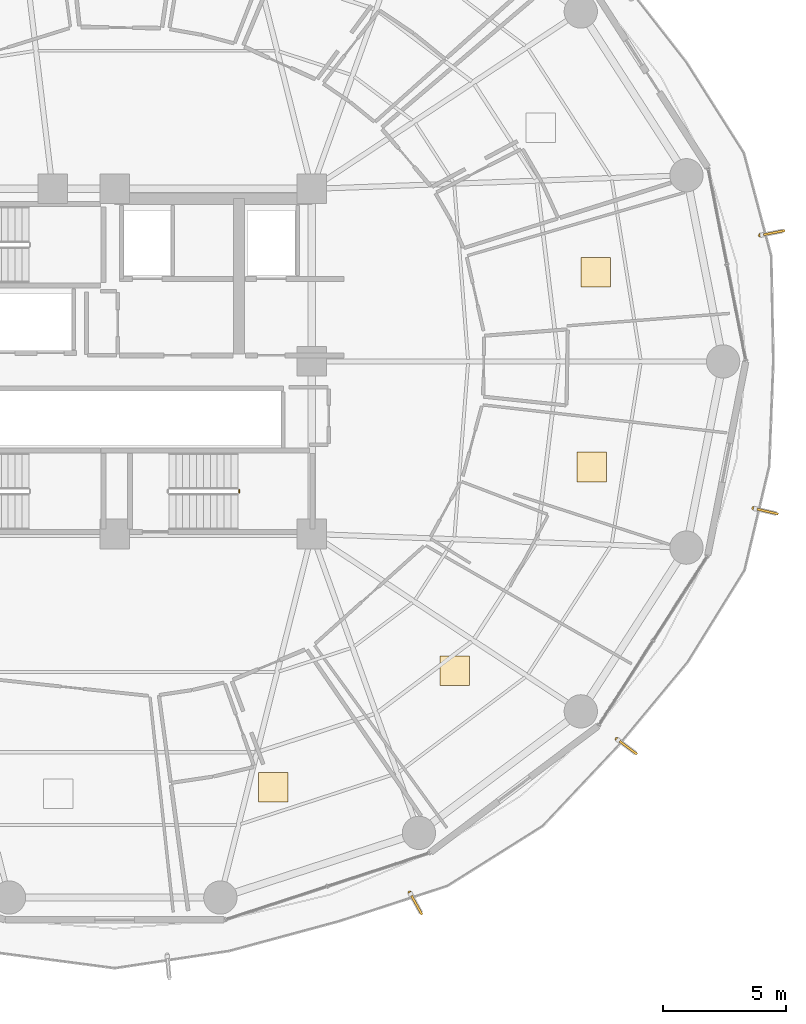
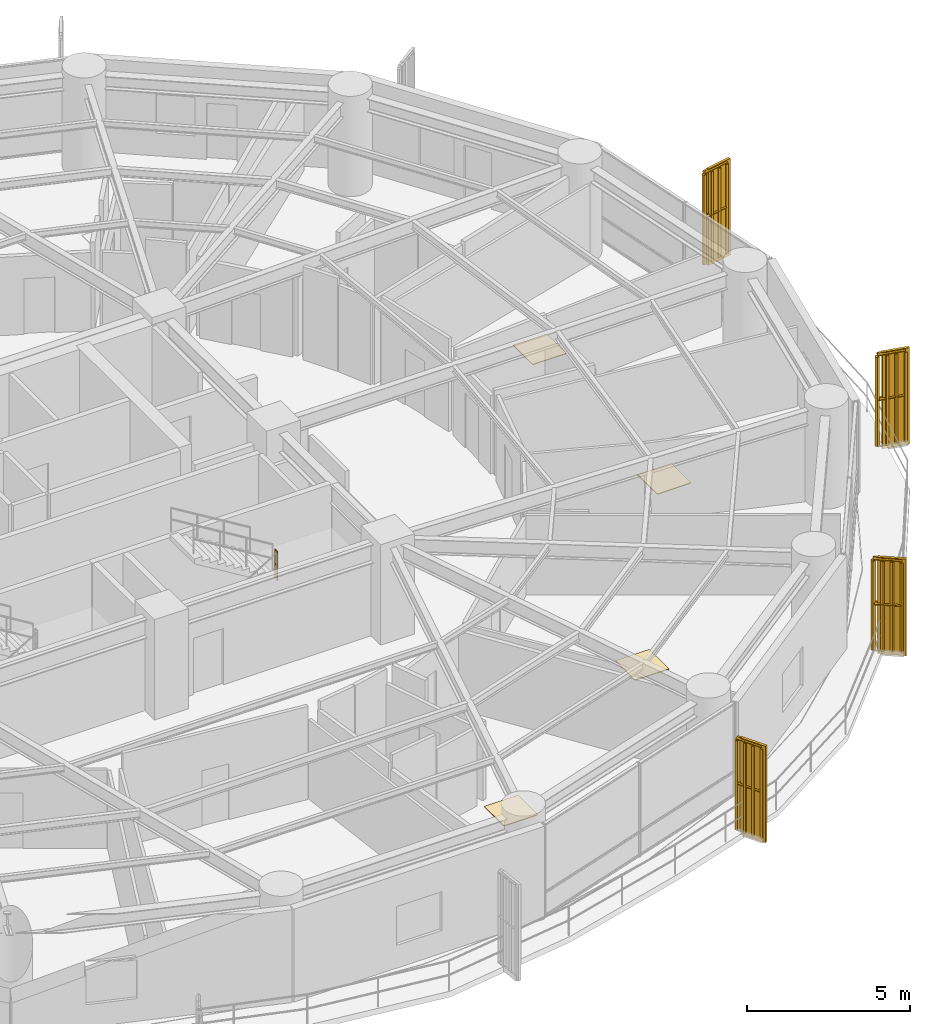
# One storey, part 36 of 37: 5 railings, 4 coverings, 4 shading devices.
"""IFC4 building model written with IfcOpenShell, lengths in metres."""

from ifc_helpers import new_model, si_unit, direction, frame, origin, origin_2d, place, context, subcontext, project, spatial, polyline, rectangle, outline, extrude, source, transform, mapped, material, layer, layer_set, type_object, element, save


model = new_model("IFC4")

# Units and contexts
model_context = context("Model", 3, precision=1e-05, world=origin(), true_north=direction((0.0, 1.0)))
body_context = subcontext(model_context, "Body", "Model", "MODEL_VIEW")
ifc_project = project(units=[si_unit("LENGTHUNIT", "METRE"), si_unit("AREAUNIT", "SQUARE_METRE"), si_unit("VOLUMEUNIT", "CUBIC_METRE"), si_unit("PLANEANGLEUNIT", "RADIAN"), si_unit("MASSUNIT", "GRAM", prefix="KILO")], contexts=[model_context])

# Site, building, storey
site_placement = place(None, origin())
site = spatial("IfcSite", under=ifc_project, at=site_placement, CompositionType="ELEMENT")
building_placement = place(site_placement, origin())
building = spatial("IfcBuilding", under=site, at=building_placement, Name="Kelanora Arch Commons", CompositionType="ELEMENT")
storey_placement = place(building_placement, frame((0.0, 0.0, 113.85009765625)))
storey = spatial("IfcBuildingStorey", under=building, at=storey_placement, Name="L29", CompositionType="ELEMENT", Elevation=113.85009765625)

# Railings
ifc_material_1 = material(Name="Anodised bronze vertical shading fin rib assembly")
railing_type_1 = type_object("IfcRailingType", Name="RAIL-FIN-BRZ", PredefinedType="BALUSTRADE", material=ifc_material_1)
railing_1_placement = place(storey_placement, frame((85.96630859375, 36.45849609375, -0.02001953125)))
element("IfcRailing", 1, at=railing_1_placement, inside=storey, type_object=railing_type_1, Name="Sweeping Bronze Vertical Fin Blade L29-11", PredefinedType="BALUSTRADE", context=body_context, shape_type="SweptSolid", body=[
    extrude(outline(polyline([(0.06982421875, 0.0), (0.034912109375, 0.060546875), (-0.034912109375, 0.060546875), (-0.06982421875, 0.0), (-0.034912109375, -0.060546875), (0.034912109375, -0.060546875), (0.06982421875, 0.0)])), frame((0.0, 0.0, 3.419921875), z_axis=(0.485573170054, -0.874196028659, 0.0), x_axis=(0.874196028659, 0.485573170054, 0.0)), (0.0, 0.0, 1.0), 0.891357421875),
    extrude(outline(polyline([(0.06982421875, 0.0), (0.034912109375, 0.060546875), (-0.034912109375, 0.060546875), (-0.06982421875, 0.0), (-0.034912109375, -0.060546875), (0.034912109375, -0.060546875), (0.06982421875, 0.0)])), frame((0.0, 0.0, 1.7451171875), z_axis=(0.485573170054, -0.874196028659, 0.0), x_axis=(0.874196028659, 0.485573170054, 0.0)), (0.0, 0.0, 1.0), 0.891357421875),
    extrude(outline(polyline([(0.080078125, 0.0), (0.0400390625, 0.0693359375), (-0.0400390625, 0.0693359375), (-0.080078125, 0.0), (-0.0400390625, -0.0693359375), (0.0400390625, -0.0693359375), (0.080078125, 0.0)])), origin(), (0.0, 0.0, 1.0), 3.35009765625),
    extrude(outline(polyline([(0.080078125, 0.0), (0.0400390625, 0.0693359375), (-0.0400390625, 0.0693359375), (-0.080078125, 0.0), (-0.0400390625, -0.0693359375), (0.0400390625, -0.0693359375), (0.080078125, 0.0)])), frame((0.144287109375, -0.259765625, 0.0)), (0.0, 0.0, 1.0), 3.35009765625),
    extrude(outline(polyline([(0.080078125, 0.0), (0.0400390625, 0.0693359375), (-0.0400390625, 0.0693359375), (-0.080078125, 0.0), (-0.0400390625, -0.0693359375), (0.0400390625, -0.0693359375), (0.080078125, 0.0)])), frame((0.28857421875, -0.51953125, 0.0)), (0.0, 0.0, 1.0), 3.35009765625),
    extrude(outline(polyline([(0.080078125, 0.0), (0.0400390625, 0.0693359375), (-0.0400390625, 0.0693359375), (-0.080078125, 0.0), (-0.0400390625, -0.0693359375), (0.0400390625, -0.0693359375), (0.080078125, 0.0)])), frame((0.432861328125, -0.779296875, 0.0)), (0.0, 0.0, 1.0), 3.35009765625),
])
railing_2_placement = place(storey_placement, frame((94.364990234375, 42.682861328125, -0.02001953125)))
element("IfcRailing", 2, at=railing_2_placement, inside=storey, type_object=railing_type_1, Name="Sweeping Bronze Vertical Fin Blade L29-12", PredefinedType="BALUSTRADE", context=body_context, shape_type="SweptSolid", body=[
    extrude(outline(polyline([(0.06982421875, 0.0), (0.034912109375, 0.060546875), (-0.034912109375, 0.060546875), (-0.06982421875, 0.0), (-0.034912109375, -0.060546875), (0.034912109375, -0.060546875), (0.06982421875, 0.0)])), frame((0.0, 0.0, 3.419921875), z_axis=(0.799144722851, -0.601138679458, 0.0), x_axis=(0.601138679458, 0.799144722851, 0.0)), (0.0, 0.0, 1.0), 0.891357421875),
    extrude(outline(polyline([(0.06982421875, 0.0), (0.034912109375, 0.060546875), (-0.034912109375, 0.060546875), (-0.06982421875, 0.0), (-0.034912109375, -0.060546875), (0.034912109375, -0.060546875), (0.06982421875, 0.0)])), frame((0.0, 0.0, 1.7451171875), z_axis=(0.799144722851, -0.601138679458, 0.0), x_axis=(0.601138679458, 0.799144722851, 0.0)), (0.0, 0.0, 1.0), 0.891357421875),
    extrude(outline(polyline([(0.080078125, 0.0), (0.0400390625, 0.0693359375), (-0.0400390625, 0.0693359375), (-0.080078125, 0.0), (-0.0400390625, -0.0693359375), (0.0400390625, -0.0693359375), (0.080078125, 0.0)])), origin(), (0.0, 0.0, 1.0), 3.35009765625),
    extrude(outline(polyline([(0.080078125, 0.0), (0.0400390625, 0.0693359375), (-0.0400390625, 0.0693359375), (-0.080078125, 0.0), (-0.0400390625, -0.0693359375), (0.0400390625, -0.0693359375), (0.080078125, 0.0)])), frame((0.237548828125, -0.1787109375, 0.0)), (0.0, 0.0, 1.0), 3.35009765625),
    extrude(outline(polyline([(0.080078125, 0.0), (0.0400390625, 0.0693359375), (-0.0400390625, 0.0693359375), (-0.080078125, 0.0), (-0.0400390625, -0.0693359375), (0.0400390625, -0.0693359375), (0.080078125, 0.0)])), frame((0.474853515625, -0.357177734375, 0.0)), (0.0, 0.0, 1.0), 3.35009765625),
    extrude(outline(polyline([(0.080078125, 0.0), (0.0400390625, 0.0693359375), (-0.0400390625, 0.0693359375), (-0.080078125, 0.0), (-0.0400390625, -0.0693359375), (0.0400390625, -0.0693359375), (0.080078125, 0.0)])), frame((0.71240234375, -0.535888671875, 0.0)), (0.0, 0.0, 1.0), 3.35009765625),
])
railing_3_placement = place(storey_placement, frame((99.9140625, 52.0419921875, -0.02001953125)))
element("IfcRailing", 3, at=railing_3_placement, inside=storey, type_object=railing_type_1, Name="Sweeping Bronze Vertical Fin Blade L29-13", PredefinedType="BALUSTRADE", context=body_context, shape_type="SweptSolid", body=[
    extrude(outline(polyline([(0.06982421875, 0.0), (0.034912109375, 0.060546875), (-0.034912109375, 0.060546875), (-0.06982421875, 0.0), (-0.034912109375, -0.060546875), (0.034912109375, -0.060546875), (0.06982421875, 0.0)])), frame((0.0, 0.0, 3.419921875), z_axis=(0.974589271793, -0.22399944488, 0.0), x_axis=(0.22399944488, 0.974589271793, 0.0)), (0.0, 0.0, 1.0), 0.8916015625),
    extrude(outline(polyline([(0.06982421875, 0.0), (0.034912109375, 0.060546875), (-0.034912109375, 0.060546875), (-0.06982421875, 0.0), (-0.034912109375, -0.060546875), (0.034912109375, -0.060546875), (0.06982421875, 0.0)])), frame((0.0, 0.0, 1.7451171875), z_axis=(0.974589271793, -0.22399944488, 0.0), x_axis=(0.22399944488, 0.974589271793, 0.0)), (0.0, 0.0, 1.0), 0.8916015625),
    extrude(outline(polyline([(0.080078125, 0.0), (0.0400390625, 0.0693359375), (-0.0400390625, 0.0693359375), (-0.080078125, 0.0), (-0.0400390625, -0.0693359375), (0.0400390625, -0.0693359375), (0.080078125, 0.0)])), origin(), (0.0, 0.0, 1.0), 3.35009765625),
    extrude(outline(polyline([(0.080078125, 0.0), (0.0400390625, 0.0693359375), (-0.0400390625, 0.0693359375), (-0.080078125, 0.0), (-0.0400390625, -0.0693359375), (0.0400390625, -0.0693359375), (0.080078125, 0.0)])), frame((0.28955078125, -0.066650390625, 0.0)), (0.0, 0.0, 1.0), 3.35009765625),
    extrude(outline(polyline([(0.080078125, 0.0), (0.0400390625, 0.0693359375), (-0.0400390625, 0.0693359375), (-0.080078125, 0.0), (-0.0400390625, -0.0693359375), (0.0400390625, -0.0693359375), (0.080078125, 0.0)])), frame((0.579345703125, -0.133056640625, 0.0)), (0.0, 0.0, 1.0), 3.35009765625),
    extrude(outline(polyline([(0.080078125, 0.0), (0.0400390625, 0.0693359375), (-0.0400390625, 0.0693359375), (-0.080078125, 0.0), (-0.0400390625, -0.0693359375), (0.0400390625, -0.0693359375), (0.080078125, 0.0)])), frame((0.868896484375, -0.19970703125, 0.0)), (0.0, 0.0, 1.0), 3.35009765625),
])
railing_4_placement = place(storey_placement, frame((100.177978515625, 63.11328125, -0.02001953125)))
element("IfcRailing", 4, at=railing_4_placement, inside=storey, type_object=railing_type_1, Name="Sweeping Bronze Vertical Fin Blade L29-14", PredefinedType="BALUSTRADE", context=body_context, shape_type="SweptSolid", body=[
    extrude(outline(polyline([(0.06982421875, 0.0), (0.034912109375, 0.060546875), (-0.034912109375, 0.060546875), (-0.06982421875, 0.0), (-0.034912109375, -0.060546875), (0.034912109375, -0.060546875), (0.06982421875, 0.0)])), frame((0.0, 0.0, 3.419921875), z_axis=(0.981455423077, 0.19169051232, 0.0), x_axis=(-0.19169051232, 0.981455423077, 0.0)), (0.0, 0.0, 1.0), 0.8916015625),
    extrude(outline(polyline([(0.06982421875, 0.0), (0.034912109375, 0.060546875), (-0.034912109375, 0.060546875), (-0.06982421875, 0.0), (-0.034912109375, -0.060546875), (0.034912109375, -0.060546875), (0.06982421875, 0.0)])), frame((0.0, 0.0, 1.7451171875), z_axis=(0.981455423077, 0.19169051232, 0.0), x_axis=(-0.19169051232, 0.981455423077, 0.0)), (0.0, 0.0, 1.0), 0.8916015625),
    extrude(outline(polyline([(0.080078125, 0.0), (0.0400390625, 0.0693359375), (-0.0400390625, 0.0693359375), (-0.080078125, 0.0), (-0.0400390625, -0.0693359375), (0.0400390625, -0.0693359375), (0.080078125, 0.0)])), origin(), (0.0, 0.0, 1.0), 3.35009765625),
    extrude(outline(polyline([(0.080078125, 0.0), (0.0400390625, 0.0693359375), (-0.0400390625, 0.0693359375), (-0.080078125, 0.0), (-0.0400390625, -0.0693359375), (0.0400390625, -0.0693359375), (0.080078125, 0.0)])), frame((0.291748046875, 0.056884765625, 0.0)), (0.0, 0.0, 1.0), 3.35009765625),
    extrude(outline(polyline([(0.080078125, 0.0), (0.0400390625, 0.0693359375), (-0.0400390625, 0.0693359375), (-0.080078125, 0.0), (-0.0400390625, -0.0693359375), (0.0400390625, -0.0693359375), (0.080078125, 0.0)])), frame((0.583251953125, 0.114013671875, 0.0)), (0.0, 0.0, 1.0), 3.35009765625),
    extrude(outline(polyline([(0.080078125, 0.0), (0.0400390625, 0.0693359375), (-0.0400390625, 0.0693359375), (-0.080078125, 0.0), (-0.0400390625, -0.0693359375), (0.0400390625, -0.0693359375), (0.080078125, 0.0)])), frame((0.875, 0.1708984375, 0.0)), (0.0, 0.0, 1.0), 3.35009765625),
])
ifc_material_2 = material(Name="Painted steel stair well guard", Category="steel")
railing_type_2 = type_object("IfcRailingType", Name="RAIL-STAIR-GRD", PredefinedType="GUARDRAIL", material=ifc_material_2)
railing_5_placement = place(storey_placement, frame((79.050048828125, 52.659912109375, 1.875)))
element("IfcRailing", 5, at=railing_5_placement, inside=storey, type_object=railing_type_2, Name="L29 ST-T2 stair guard 2", PredefinedType="GUARDRAIL", context=body_context, shape_type="SweptSolid", body=[
    extrude(outline(polyline([(0.02392578125, 0.0), (0.011962890625, 0.020751953125), (-0.011962890625, 0.020751953125), (-0.02392578125, 0.0), (-0.011962890625, -0.020751953125), (0.011962890625, -0.020751953125), (0.02392578125, 0.0)])), frame((0.0, 0.0, 1.076171875), z_axis=(0.0, 1.0, 0.0), x_axis=(-1.0, 0.0, 0.0)), (0.0, 0.0, 1.0), 0.150146484375),
    extrude(outline(polyline([(0.02392578125, 0.0), (0.011962890625, 0.020751953125), (-0.011962890625, 0.020751953125), (-0.02392578125, 0.0), (-0.011962890625, -0.020751953125), (0.011962890625, -0.020751953125), (0.02392578125, 0.0)])), frame((0.0, 0.0, 0.550048828125), z_axis=(0.0, 1.0, 0.0), x_axis=(-1.0, 0.0, 0.0)), (0.0, 0.0, 1.0), 0.150146484375),
    extrude(outline(polyline([(0.02099609375, 0.0), (0.010498046875, 0.01806640625), (-0.010498046875, 0.01806640625), (-0.02099609375, 0.0), (-0.010498046875, -0.01806640625), (0.010498046875, -0.01806640625), (0.02099609375, 0.0)])), origin(), (0.0, 0.0, 1.0), 1.052001953125),
    extrude(outline(polyline([(0.02099609375, 0.0), (0.010498046875, 0.01806640625), (-0.010498046875, 0.01806640625), (-0.02099609375, 0.0), (-0.010498046875, -0.01806640625), (0.010498046875, -0.01806640625), (0.02099609375, 0.0)])), frame((0.0, 0.150146484375, 0.0)), (0.0, 0.0, 1.0), 1.052001953125),
])

# Shading devices
ifc_material_3 = material(Name="Terracotta ceramic-clad extruded aluminium fin", Category="masonry")
shading_device_type = type_object("IfcShadingDeviceType", Name="SHD-FIN-FLARE", PredefinedType="USERDEFINED", material=ifc_material_3)
shared_shape_1 = source(origin(), body_context, "Body", "SweptSolid", [
    extrude(rectangle(XDim=0.8798828125, YDim=0.090087890625, at=origin_2d()), origin(), (0.0, 0.0, 1.0), 3.610107421875),
])
for number, where, z_axis, x_axis, name in (
    (6, (86.25048828125, 35.946533203125, -0.14013671875), (0.0, 0.0, 1.0), (0.485572685227, -0.874196297957, 0.0), "Sweeping Terracotta Fin L29-11"),
    (7, (94.8330078125, 42.330810546875, -0.14013671875), (0.0, 0.0, 1.0), (0.799160388565, -0.601117853128, 0.0), "Sweeping Terracotta Fin L29-12"),
    (8, (100.48486328125, 51.910888671875, -0.14013671875), (0.0, 0.0, 1.0), (0.974566000575, -0.224100670509, 0.0), "Sweeping Terracotta Fin L29-13"),
    (9, (100.7529296875, 63.2255859375, -0.14013671875), (0.0, 0.0, 1.0), (0.981460297432, 0.191665553932, 0.0), "Sweeping Terracotta Fin L29-14"),
):
    element("IfcShadingDevice", number, at=place(storey_placement, frame(where, z_axis=z_axis, x_axis=x_axis)), inside=storey, type_object=shading_device_type, Name=name, ObjectType="FIN", PredefinedType="USERDEFINED", context=body_context, shape_type="MappedRepresentation", body=[
        mapped(shared_shape_1, transform((0.0, 0.0, 0.0), scale=1.0)),
    ])

# Coverings
ifc_material_4 = material(Name="Polished local granite terrazzo flooring", Category="masonry")
ifc_layer = layer(ifc_material_4, 0.030029296875)
ifc_layer_set = layer_set([ifc_layer], Name="Polished local granite terrazzo flooring")
covering_type = type_object("IfcCoveringType", Name="COV-FLR-TER", PredefinedType="FLOORING", material=ifc_layer_set)
shared_shape_2 = source(origin(), body_context, "Body", "SweptSolid", [
    extrude(rectangle(XDim=1.199951171875, YDim=1.199951171875, at=origin_2d()), origin(), (0.0, 0.0, 1.0), 0.030029296875),
])
for number, where, z_axis, x_axis, name in (
    (10, (80.42431640625, 40.725341796875, 0.0), (0.0, 0.0, 1.0), (1.0, 0.0, 0.0), "Co-Living Studio L29-11 Terrazzo Finish"),
    (11, (87.793701171875, 45.45751953125, 0.0), (0.0, 0.0, 1.0), (1.0, 0.0, 0.0), "Quiet Seminar Study Room L29-12 Terrazzo Finish"),
    (12, (93.3544921875, 53.71875, 0.0), (0.0, 0.0, 1.0), (1.0, 0.0, 0.0), "Quiet Reading Carrel L29-13 Terrazzo Finish"),
    (13, (93.510009765625, 61.618896484375, 0.0), (0.0, 0.0, 1.0), (1.0, 0.0, 0.0), "Tutorial Study Alcove L29-14 Terrazzo Finish"),
):
    element("IfcCovering", number, at=place(storey_placement, frame(where, z_axis=z_axis, x_axis=x_axis)), inside=storey, type_object=covering_type, Name=name, PredefinedType="FLOORING", context=body_context, shape_type="MappedRepresentation", body=[
        mapped(shared_shape_2, transform((0.0, 0.0, 0.0), scale=1.0)),
    ])

save(model, "model.ifc")
